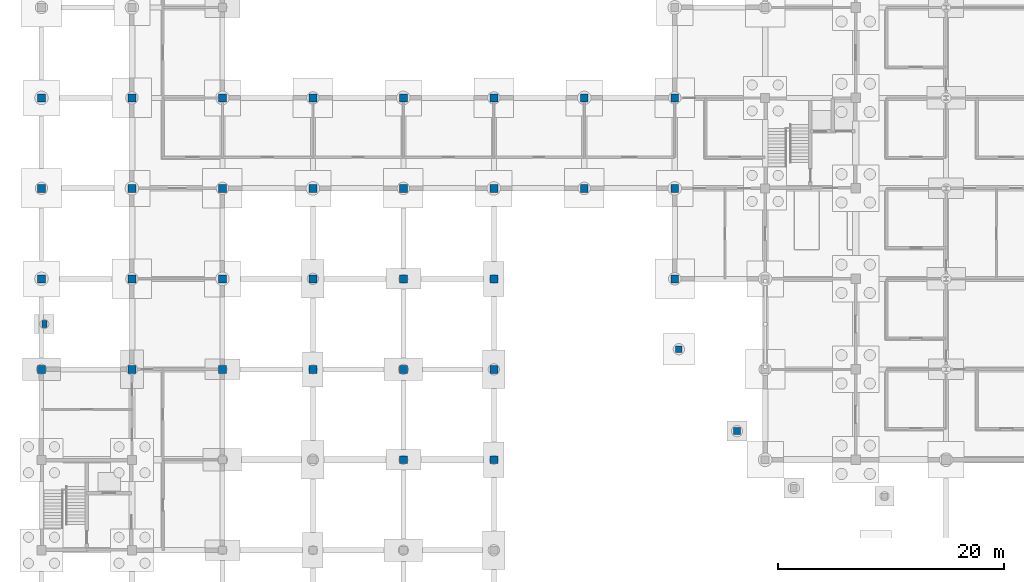
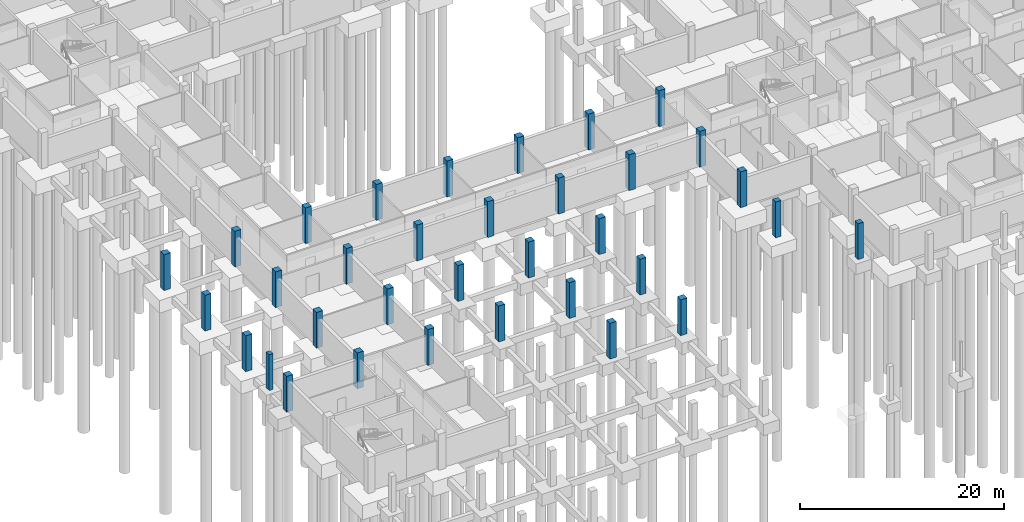
# One storey, part 14 of 48: 34 columns.
"""IFC4 building model written with IfcOpenShell, lengths in metres."""

from ifc_helpers import new_model, si_unit, derived_unit, direction, frame, origin, origin_2d, place, context, subcontext, project, spatial, rectangle, extrude, material, material_profile, profile_set, type_object, element, save


model = new_model("IFC4")

# Units and contexts
model_context = context("Model", 3, precision=1e-05, world=origin(), true_north=direction((0.0, 1.0)))
body_context = subcontext(model_context, "Body", "Model", "MODEL_VIEW")
ifc_project = project(units=[si_unit("LENGTHUNIT", "METRE"), si_unit("AREAUNIT", "SQUARE_METRE"), si_unit("VOLUMEUNIT", "CUBIC_METRE"), si_unit("PLANEANGLEUNIT", "RADIAN"), si_unit("MASSUNIT", "GRAM", prefix="KILO"), derived_unit("THERMALTRANSMITTANCEUNIT", [(si_unit("MASSUNIT", "GRAM", prefix="KILO"), 1), (si_unit("TIMEUNIT", "SECOND"), -3), (si_unit("THERMODYNAMICTEMPERATUREUNIT", "KELVIN"), -1)])], contexts=[model_context])

# Site, building, storey
site_placement = place(None, origin())
site = spatial("IfcSite", under=ifc_project, at=site_placement, CompositionType="ELEMENT")
building_placement = place(site_placement, origin())
building = spatial("IfcBuilding", under=site, at=building_placement, Name="Veyamyaing Civic Hall", CompositionType="ELEMENT")
storey_placement = place(building_placement, frame((0.0, 0.0, -4.2900390625)))
storey = spatial("IfcBuildingStorey", under=building, at=storey_placement, Name="B1", CompositionType="ELEMENT", Elevation=-4.2900390625)

# Columns
ifc_material = material(Name="Concrete C45/55", Category="concrete")
ifc_material_profile_1 = material_profile(ifc_material, rectangle(XDim=0.699951171875, YDim=0.699951171875, at=origin_2d()), Name="RC-COL-700X700")
ifc_profile_set_1 = profile_set([ifc_material_profile_1], Name="Concrete C45/55")
column_type_1 = type_object("IfcColumnType", Name="C-04", PredefinedType="COLUMN", material=ifc_profile_set_1)
for number, where, z_axis, x_axis, name in (
    (1, (0.0, 32.0, 0.0), (0.0, 0.0, 1.0), (1.0, 0.0, 0.0), "Column C-04 1-E B1"),
    (2, (0.0, 40.0, 0.0), (0.0, 0.0, 1.0), (1.0, 0.0, 0.0), "Column C-04 1-F B1"),
    (3, (0.0, 48.0, 0.0), (0.0, 0.0, 1.0), (1.0, 0.0, 0.0), "Column C-04 1-G B1"),
    (4, (0.0, 56.0, 0.0), (0.0, 0.0, 1.0), (1.0, 0.0, 0.0), "Column C-04 1-H B1"),
    (5, (8.0, 32.0, 0.0), (0.0, 0.0, 1.0), (1.0, 0.0, 0.0), "Column C-04 2-E B1"),
    (6, (8.0, 40.0, 0.0), (0.0, 0.0, 1.0), (1.0, 0.0, 0.0), "Column C-04 2-F B1"),
    (7, (8.0, 48.0, 0.0), (0.0, 0.0, 1.0), (1.0, 0.0, 0.0), "Column C-04 2-G B1"),
    (8, (8.0, 56.0, 0.0), (0.0, 0.0, 1.0), (1.0, 0.0, 0.0), "Column C-04 2-H B1"),
    (9, (16.0, 32.0, 0.0), (0.0, 0.0, 1.0), (1.0, 0.0, 0.0), "Column C-04 3-E B1"),
    (10, (16.0, 40.0, 0.0), (0.0, 0.0, 1.0), (1.0, 0.0, 0.0), "Column C-04 3-F B1"),
    (11, (16.0, 48.0, 0.0), (0.0, 0.0, 1.0), (1.0, 0.0, 0.0), "Column C-04 3-G B1"),
    (12, (16.0, 56.0, 0.0), (0.0, 0.0, 1.0), (1.0, 0.0, 0.0), "Column C-04 3-H B1"),
    (13, (24.0, 32.0, 0.0), (0.0, 0.0, 1.0), (1.0, 0.0, 0.0), "Column C-04 4-E B1"),
    (14, (24.0, 40.0, 0.0), (0.0, 0.0, 1.0), (1.0, 0.0, 0.0), "Column C-04 4-F B1"),
    (15, (24.0, 48.0, 0.0), (0.0, 0.0, 1.0), (1.0, 0.0, 0.0), "Column C-04 4-G B1"),
    (16, (24.0, 56.0, 0.0), (0.0, 0.0, 1.0), (1.0, 0.0, 0.0), "Column C-04 4-H B1"),
    (17, (32.0, 24.0, 0.0), (0.0, 0.0, 1.0), (1.0, 0.0, 0.0), "Column C-04 5-D B1"),
    (18, (32.0, 32.0, 0.0), (0.0, 0.0, 1.0), (1.0, 0.0, 0.0), "Column C-04 5-E B1"),
    (19, (32.0, 40.0, 0.0), (0.0, 0.0, 1.0), (1.0, 0.0, 0.0), "Column C-04 5-F B1"),
    (20, (32.0, 48.0, 0.0), (0.0, 0.0, 1.0), (1.0, 0.0, 0.0), "Column C-04 5-G B1"),
    (21, (32.0, 56.0, 0.0), (0.0, 0.0, 1.0), (1.0, 0.0, 0.0), "Column C-04 5-H B1"),
    (22, (40.0, 24.0, 0.0), (0.0, 0.0, 1.0), (1.0, 0.0, 0.0), "Column C-04 6-D B1"),
    (23, (40.0, 32.0, 0.0), (0.0, 0.0, 1.0), (1.0, 0.0, 0.0), "Column C-04 6-E B1"),
    (24, (40.0, 40.0, 0.0), (0.0, 0.0, 1.0), (1.0, 0.0, 0.0), "Column C-04 6-F B1"),
    (25, (40.0, 48.0, 0.0), (0.0, 0.0, 1.0), (1.0, 0.0, 0.0), "Column C-04 6-G B1"),
    (26, (40.0, 56.0, 0.0), (0.0, 0.0, 1.0), (1.0, 0.0, 0.0), "Column C-04 6-H B1"),
    (27, (48.0, 48.0, 0.0), (0.0, 0.0, 1.0), (1.0, 0.0, 0.0), "Column C-04 7-G B1"),
    (28, (48.0, 56.0, 0.0), (0.0, 0.0, 1.0), (1.0, 0.0, 0.0), "Column C-04 7-H B1"),
    (29, (56.0, 40.0, 0.0), (0.0, 0.0, 1.0), (1.0, 0.0, 0.0), "Column C-04 8-F B1"),
    (30, (56.0, 48.0, 0.0), (0.0, 0.0, 1.0), (1.0, 0.0, 0.0), "Column C-04 8-G B1"),
    (31, (56.0, 56.0, 0.0), (0.0, 0.0, 1.0), (1.0, 0.0, 0.0), "Column C-04 8-H B1"),
):
    element("IfcColumn", number, at=place(storey_placement, frame(where, z_axis=z_axis, x_axis=x_axis)), inside=storey, type_object=column_type_1, Name=name, PredefinedType="COLUMN", context=body_context, shape_type="SweptSolid", body=[
        extrude(rectangle(XDim=0.699951171875, YDim=0.699951171875, at=origin_2d()), origin(), (0.0, 0.0, 1.0), 4.2900390625),
    ])
ifc_material_profile_2 = material_profile(ifc_material, rectangle(XDim=0.60009765625, YDim=0.60009765625, at=origin_2d()), Name="RC-COL-600X600")
ifc_profile_set_2 = profile_set([ifc_material_profile_2], Name="Concrete C45/55")
column_type_2 = type_object("IfcColumnType", Name="C-06", PredefinedType="COLUMN", material=ifc_profile_set_2)
for number, where, z_axis, x_axis, name in (
    (32, (56.36376953125, 33.779296875, 0.0), (0.0, 0.0, 1.0), (1.0, 0.0, 0.0), "Curved corner column C-06 ARC-SW-00 B1"),
    (33, (61.5048828125, 26.533447265625, 0.0), (0.0, 0.0, 1.0), (1.0, 0.0, 0.0), "Curved corner column C-06 ARC-SW-05 B1"),
):
    element("IfcColumn", number, at=place(storey_placement, frame(where, z_axis=z_axis, x_axis=x_axis)), inside=storey, type_object=column_type_2, Name=name, PredefinedType="COLUMN", context=body_context, shape_type="SweptSolid", body=[
        extrude(rectangle(XDim=0.60009765625, YDim=0.60009765625, at=origin_2d()), origin(), (0.0, 0.0, 1.0), 4.2900390625),
    ])
ifc_material_profile_3 = material_profile(ifc_material, rectangle(XDim=0.449951171875, YDim=0.60009765625, at=origin_2d()), Name="RC-PIL-450X600")
ifc_profile_set_3 = profile_set([ifc_material_profile_3], Name="Concrete C45/55")
column_type_3 = type_object("IfcColumnType", Name="C-13", PredefinedType="PILASTER", material=ifc_profile_set_3)
column_placement = place(storey_placement, frame((0.25, 36.0, 0.0), z_axis=(0.0, 0.0, 1.0), x_axis=(1.0, 0.0, 0.0)))
element("IfcColumn", 34, at=column_placement, inside=storey, type_object=column_type_3, Name="Arcade pilaster C-13 PIL-W-04 B1", PredefinedType="PILASTER", context=body_context, shape_type="SweptSolid", body=[
    extrude(rectangle(XDim=0.449951171875, YDim=0.60009765625, at=origin_2d()), origin(), (0.0, 0.0, 1.0), 4.2900390625),
])

save(model, "model.ifc")
